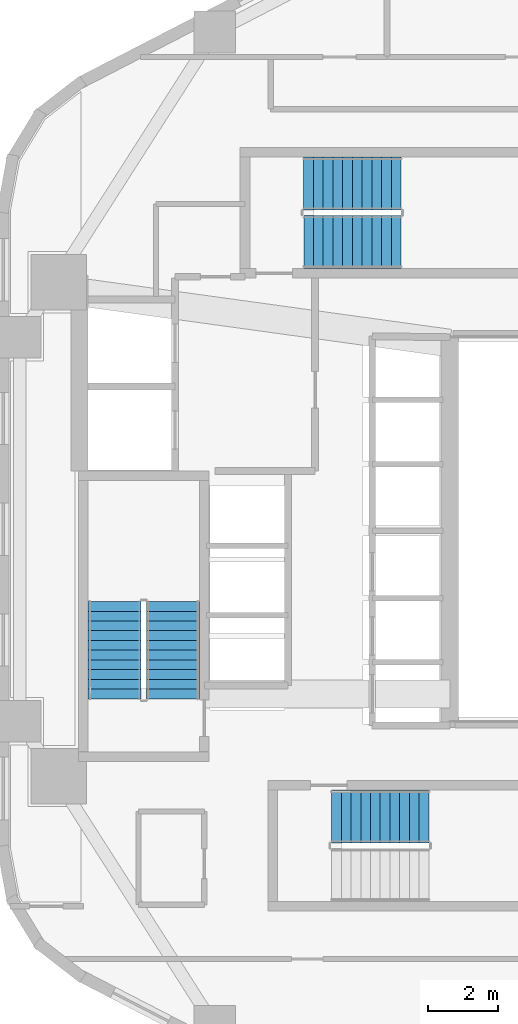
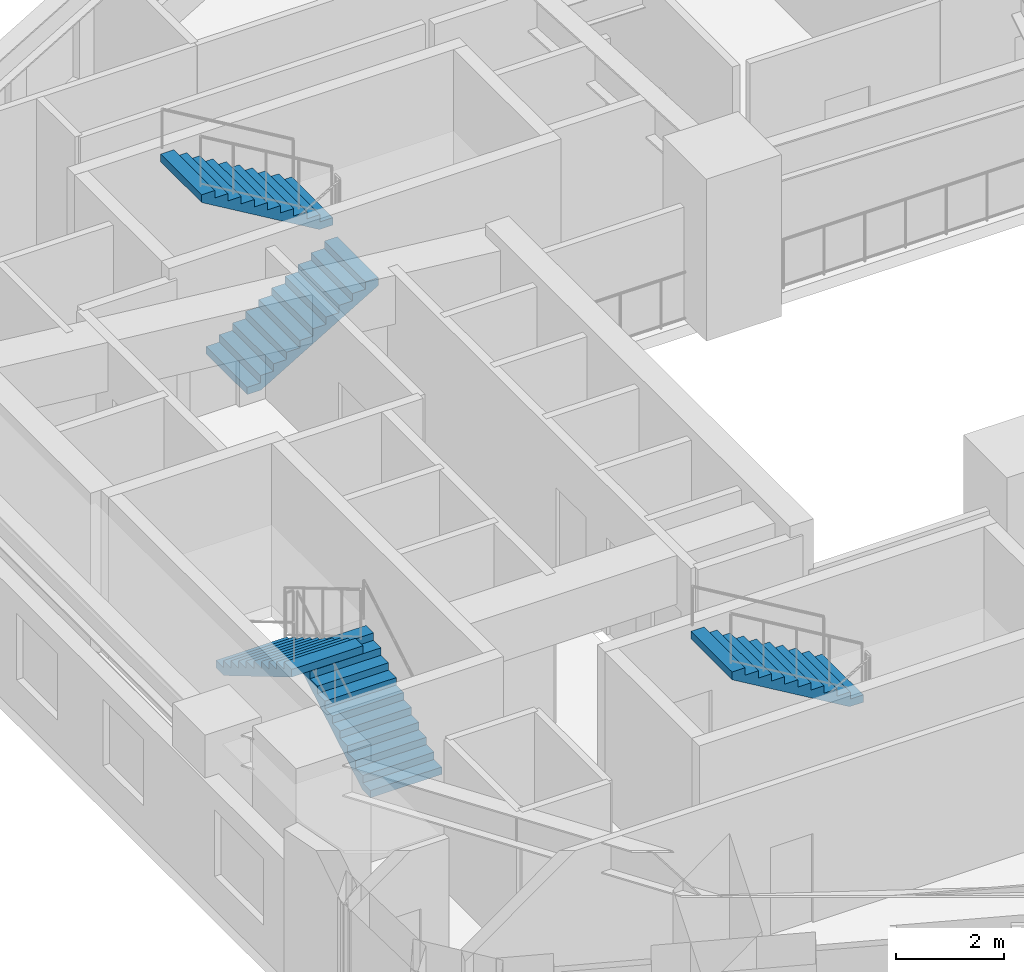
# One storey, part 6 of 7: 5 stair flights, 3 elements without a shape of their own.
"""IFC4 building model written with IfcOpenShell, lengths in metres."""

from ifc_helpers import new_model, si_unit, direction, frame, origin, place, context, subcontext, project, spatial, polyline, outline, extrude, material, type_object, element, aggregate, save


model = new_model("IFC4")

# Units and contexts
model_context = context("Model", 3, precision=1e-05, world=origin(), true_north=direction((0.0, 1.0)))
body_context = subcontext(model_context, "Body", "Model", "MODEL_VIEW")
ifc_project = project(units=[si_unit("LENGTHUNIT", "METRE"), si_unit("AREAUNIT", "SQUARE_METRE"), si_unit("VOLUMEUNIT", "CUBIC_METRE"), si_unit("PLANEANGLEUNIT", "RADIAN"), si_unit("MASSUNIT", "GRAM", prefix="KILO"), si_unit("THERMODYNAMICTEMPERATUREUNIT", "KELVIN"), si_unit("POWERUNIT", "WATT")], contexts=[model_context])

# Site, building, storey
site_placement = place(None, origin())
site = spatial("IfcSite", under=ifc_project, at=site_placement, CompositionType="ELEMENT")
building_placement = place(site_placement, origin())
building = spatial("IfcBuilding", under=site, at=building_placement, Name="Skarre Station Tower", CompositionType="ELEMENT")
storey_placement = place(building_placement, frame((0.0, 0.0, 85.39990234375)))
storey = spatial("IfcBuildingStorey", under=building, at=storey_placement, Name="L22", CompositionType="ELEMENT", Elevation=85.39990234375)

# Stair, stair flights
ifc_material = material(Name="Concrete C40/50", Category="concrete")
stair_type_1 = type_object("IfcStairType", Name="Reinforced Concrete Exit Stair ST-1", PredefinedType="HALF_TURN_STAIR", material=ifc_material)
stair_1_placement = place(storey_placement, origin())
stair_1 = element("IfcStair", 1, at=stair_1_placement, inside=storey, type_object=stair_type_1, Name="L22 Core Exit Stair ST-1", PredefinedType="HALF_TURN_STAIR")
stair_flight_type_1 = type_object("IfcStairFlightType", Name="Reinforced Concrete Stair Flight ST-1", PredefinedType="STRAIGHT", material=ifc_material)
stair_flight_1_placement = place(storey_placement, frame((19.590087890625, 19.1201171875, 0.0), z_axis=(0.0, 0.0, 1.0), x_axis=(0.0, 1.0, 0.0)))
stair_flight_1 = element("IfcStairFlight", 2, at=stair_flight_1_placement, type_object=stair_flight_type_1, Name="ST-1 flight 1", NumberOfRisers=11, NumberOfTreads=10, PredefinedType="STRAIGHT", RiserHeight=0.165909091, TreadLength=0.28, context=body_context, shape_type="SweptSolid", body=[
    extrude(outline(polyline([(0.0, 0.0), (0.0, 0.166015625), (0.280029296875, 0.166015625), (0.280029296875, 0.331787109375), (0.56005859375, 0.331787109375), (0.56005859375, 0.497802734375), (0.840087890625, 0.497802734375), (0.840087890625, 0.66357421875), (1.1201171875, 0.66357421875), (1.1201171875, 0.82958984375), (1.39990234375, 0.82958984375), (1.39990234375, 0.995361328125), (1.679931640625, 0.995361328125), (1.679931640625, 1.161376953125), (1.9599609375, 1.161376953125), (1.9599609375, 1.327392578125), (2.239990234375, 1.327392578125), (2.239990234375, 1.4931640625), (2.52001953125, 1.4931640625), (2.52001953125, 1.6591796875), (2.800048828125, 1.6591796875), (2.800048828125, 1.824951171875), (2.800048828125, 1.48486328125), (0.2939453125, 0.0), (0.0, 0.0)])), frame((0.0, 0.760009765625, 0.0), z_axis=(0.0, -1.0, 0.0), x_axis=(1.0, 0.0, 0.0)), (0.0, 0.0, 1.0), 1.52001953125),
])
stair_flight_2_placement = place(storey_placement, frame((17.909912109375, 21.919921875, 1.8251953125), z_axis=(0.0, 0.0, 1.0), x_axis=(0.0, -1.0, 0.0)))
stair_flight_2 = element("IfcStairFlight", 3, at=stair_flight_2_placement, type_object=stair_flight_type_1, Name="ST-1 flight 2", NumberOfRisers=11, NumberOfTreads=10, PredefinedType="STRAIGHT", RiserHeight=0.165909091, TreadLength=0.28, context=body_context, shape_type="SweptSolid", body=[
    extrude(outline(polyline([(0.0, 0.0), (0.0, 0.166015625), (0.280029296875, 0.166015625), (0.280029296875, 0.331787109375), (0.56005859375, 0.331787109375), (0.56005859375, 0.497802734375), (0.840087890625, 0.497802734375), (0.840087890625, 0.66357421875), (1.1201171875, 0.66357421875), (1.1201171875, 0.82958984375), (1.39990234375, 0.82958984375), (1.39990234375, 0.995361328125), (1.679931640625, 0.995361328125), (1.679931640625, 1.161376953125), (1.9599609375, 1.161376953125), (1.9599609375, 1.327392578125), (2.239990234375, 1.327392578125), (2.239990234375, 1.4931640625), (2.52001953125, 1.4931640625), (2.52001953125, 1.6591796875), (2.800048828125, 1.6591796875), (2.800048828125, 1.824951171875), (2.800048828125, 1.48486328125), (0.2939453125, 0.0), (0.0, 0.0)])), frame((0.0, 0.760009765625, 0.0), z_axis=(0.0, -1.0, 0.0), x_axis=(1.0, 0.0, 0.0)), (0.0, 0.0, 1.0), 1.52001953125),
])
aggregate(stair_1, [stair_flight_1, stair_flight_2])

# Stair, stair flight
stair_type_2 = type_object("IfcStairType", Name="Reinforced Concrete Exit Stair ST-2", PredefinedType="HALF_TURN_STAIR", material=ifc_material)
stair_2_placement = place(storey_placement, origin())
stair_2 = element("IfcStair", 4, at=stair_2_placement, inside=storey, type_object=stair_type_2, Name="L22 Core Exit Stair ST-2", PredefinedType="HALF_TURN_STAIR")
stair_flight_type_2 = type_object("IfcStairFlightType", Name="Reinforced Concrete Stair Flight ST-2", PredefinedType="STRAIGHT", material=ifc_material)
stair_flight_3_placement = place(storey_placement, frame((26.949951171875, 15.739990234375, 1.8251953125), z_axis=(0.0, 0.0, 1.0), x_axis=(-1.0, 0.0, 0.0)))
stair_flight_3 = element("IfcStairFlight", 5, at=stair_flight_3_placement, type_object=stair_flight_type_2, Name="ST-2 flight 2", NumberOfRisers=11, NumberOfTreads=10, PredefinedType="STRAIGHT", RiserHeight=0.165909091, TreadLength=0.28, context=body_context, shape_type="SweptSolid", body=[
    extrude(outline(polyline([(0.0, 0.0), (0.0, 0.166015625), (0.280029296875, 0.166015625), (0.280029296875, 0.331787109375), (0.56005859375, 0.331787109375), (0.56005859375, 0.497802734375), (0.840087890625, 0.497802734375), (0.840087890625, 0.66357421875), (1.1201171875, 0.66357421875), (1.1201171875, 0.82958984375), (1.39990234375, 0.82958984375), (1.39990234375, 0.995361328125), (1.679931640625, 0.995361328125), (1.679931640625, 1.161376953125), (1.9599609375, 1.161376953125), (1.9599609375, 1.327392578125), (2.239990234375, 1.327392578125), (2.239990234375, 1.4931640625), (2.52001953125, 1.4931640625), (2.52001953125, 1.6591796875), (2.800048828125, 1.6591796875), (2.800048828125, 1.824951171875), (2.800048828125, 1.48486328125), (0.2939453125, 0.0), (0.0, 0.0)])), frame((0.0, 0.760009765625, 0.0), z_axis=(0.0, -1.0, 0.0), x_axis=(1.0, 0.0, 0.0)), (0.0, 0.0, 1.0), 1.52001953125),
])
aggregate(stair_2, [stair_flight_3])

# Stair, stair flights
stair_type_3 = type_object("IfcStairType", Name="Reinforced Concrete Exit Stair ST-3", PredefinedType="HALF_TURN_STAIR", material=ifc_material)
stair_3_placement = place(storey_placement, origin())
stair_3 = element("IfcStair", 6, at=stair_3_placement, inside=storey, type_object=stair_type_3, Name="L22 Core Exit Stair ST-3", PredefinedType="HALF_TURN_STAIR")
stair_flight_type_3 = type_object("IfcStairFlightType", Name="Reinforced Concrete Stair Flight ST-3", PredefinedType="STRAIGHT", material=ifc_material)
stair_flight_4_placement = place(storey_placement, frame((23.35009765625, 32.260009765625, 0.0), z_axis=(0.0, 0.0, 1.0), x_axis=(1.0, 0.0, 0.0)))
stair_flight_4 = element("IfcStairFlight", 7, at=stair_flight_4_placement, type_object=stair_flight_type_3, Name="ST-3 flight 1", NumberOfRisers=11, NumberOfTreads=10, PredefinedType="STRAIGHT", RiserHeight=0.165909091, TreadLength=0.28, context=body_context, shape_type="SweptSolid", body=[
    extrude(outline(polyline([(0.0, 0.0), (0.0, 0.166015625), (0.280029296875, 0.166015625), (0.280029296875, 0.331787109375), (0.56005859375, 0.331787109375), (0.56005859375, 0.497802734375), (0.840087890625, 0.497802734375), (0.840087890625, 0.66357421875), (1.1201171875, 0.66357421875), (1.1201171875, 0.82958984375), (1.39990234375, 0.82958984375), (1.39990234375, 0.995361328125), (1.679931640625, 0.995361328125), (1.679931640625, 1.161376953125), (1.9599609375, 1.161376953125), (1.9599609375, 1.327392578125), (2.239990234375, 1.327392578125), (2.239990234375, 1.4931640625), (2.52001953125, 1.4931640625), (2.52001953125, 1.6591796875), (2.800048828125, 1.6591796875), (2.800048828125, 1.824951171875), (2.800048828125, 1.48486328125), (0.2939453125, 0.0), (0.0, 0.0)])), frame((0.0, 0.760009765625, 0.0), z_axis=(0.0, -1.0, 0.0), x_axis=(1.0, 0.0, 0.0)), (0.0, 0.0, 1.0), 1.52001953125),
])
stair_flight_5_placement = place(storey_placement, frame((26.14990234375, 33.93994140625, 1.8251953125), z_axis=(0.0, 0.0, 1.0), x_axis=(-1.0, 0.0, 0.0)))
stair_flight_5 = element("IfcStairFlight", 8, at=stair_flight_5_placement, type_object=stair_flight_type_3, Name="ST-3 flight 2", NumberOfRisers=11, NumberOfTreads=10, PredefinedType="STRAIGHT", RiserHeight=0.165909091, TreadLength=0.28, context=body_context, shape_type="SweptSolid", body=[
    extrude(outline(polyline([(0.0, 0.0), (0.0, 0.166015625), (0.280029296875, 0.166015625), (0.280029296875, 0.331787109375), (0.56005859375, 0.331787109375), (0.56005859375, 0.497802734375), (0.840087890625, 0.497802734375), (0.840087890625, 0.66357421875), (1.1201171875, 0.66357421875), (1.1201171875, 0.82958984375), (1.39990234375, 0.82958984375), (1.39990234375, 0.995361328125), (1.679931640625, 0.995361328125), (1.679931640625, 1.161376953125), (1.9599609375, 1.161376953125), (1.9599609375, 1.327392578125), (2.239990234375, 1.327392578125), (2.239990234375, 1.4931640625), (2.52001953125, 1.4931640625), (2.52001953125, 1.6591796875), (2.800048828125, 1.6591796875), (2.800048828125, 1.824951171875), (2.800048828125, 1.48486328125), (0.2939453125, 0.0), (0.0, 0.0)])), frame((0.0, 0.760009765625, 0.0), z_axis=(0.0, -1.0, 0.0), x_axis=(1.0, 0.0, 0.0)), (0.0, 0.0, 1.0), 1.52001953125),
])
aggregate(stair_3, [stair_flight_4, stair_flight_5])

save(model, "model.ifc")
